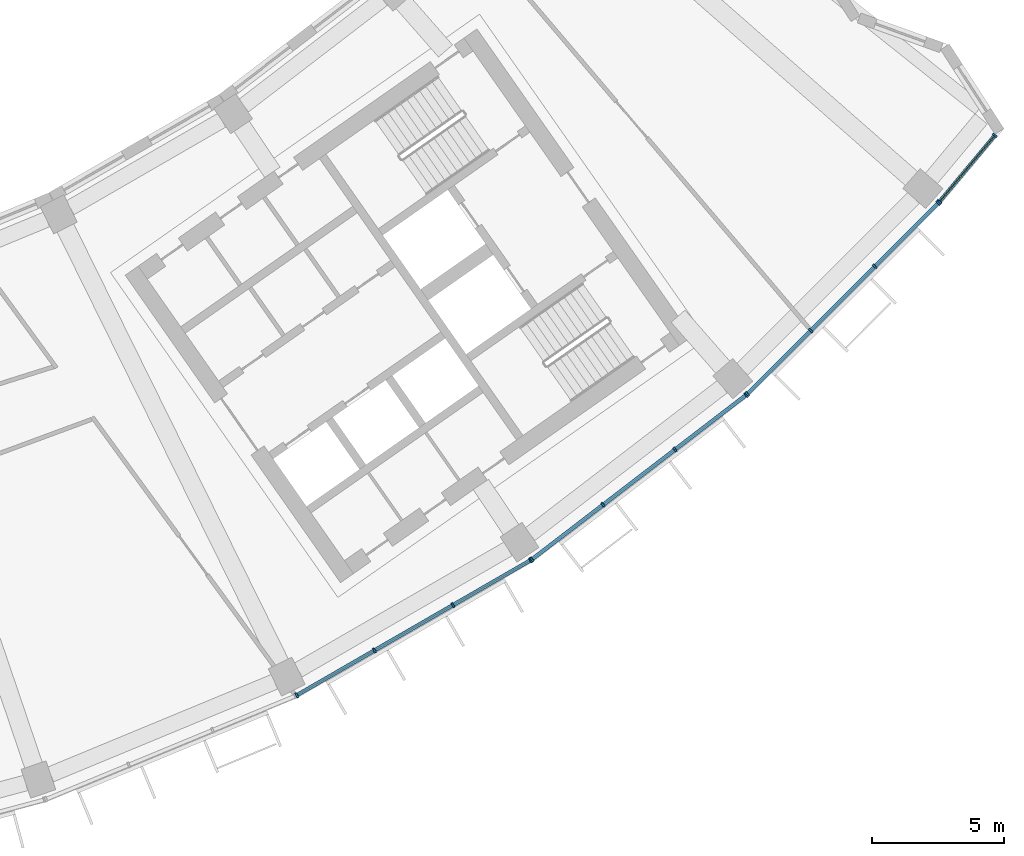
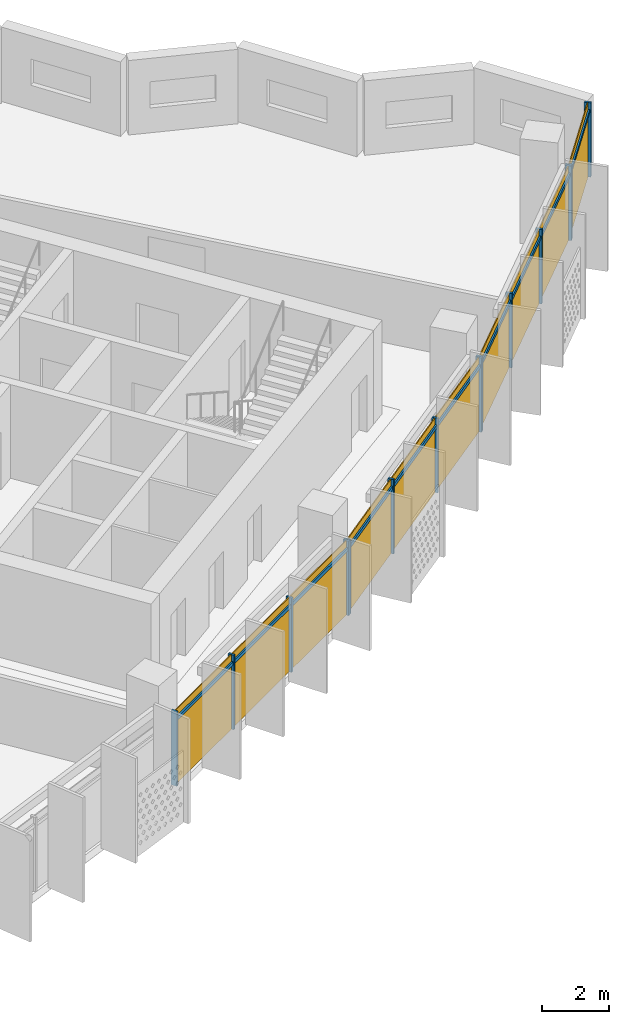
# One storey, part 21 of 28: 24 members, 4 curtain walls.
"""IFC4 building model written with IfcOpenShell, lengths in metres."""

from ifc_helpers import new_model, si_unit, direction, frame, origin, origin_2d, place, context, subcontext, project, spatial, rectangle, extrude, material, material_profile, profile_set, type_object, element, aggregate, save


model = new_model("IFC4")

# Units and contexts
model_context = context("Model", 3, precision=1e-05, world=origin(), true_north=direction((0.0, 1.0)))
body_context = subcontext(model_context, "Body", "Model", "MODEL_VIEW")
ifc_project = project(units=[si_unit("LENGTHUNIT", "METRE"), si_unit("AREAUNIT", "SQUARE_METRE"), si_unit("VOLUMEUNIT", "CUBIC_METRE"), si_unit("PLANEANGLEUNIT", "RADIAN"), si_unit("MASSUNIT", "GRAM", prefix="KILO")], contexts=[model_context])

# Member
ifc_material = material(Name="Aluminium 6063-T6 anodised", Category="aluminium")
ifc_material_profile_1 = material_profile(ifc_material, rectangle(XDim=0.199951171875, YDim=0.070068359375, at=origin_2d()))
ifc_profile_set_1 = profile_set([ifc_material_profile_1], Name="Aluminium 6063-T6 anodised")
member_type_1 = type_object("IfcMemberType", Name="Mullion 70 x 200 aluminium", PredefinedType="MULLION", material=ifc_profile_set_1)
site_placement = place(None, origin())
building_placement = place(site_placement, origin())
storey_placement = place(building_placement, frame((0.0, 0.0, 249.300048828125)))
member_1_placement = place(storey_placement, frame((34.766357421875, -70.43505859375, 0.0), z_axis=(0.0, 0.0, 1.0), x_axis=(-0.5, 0.866025403784, 0.0)))
member_1 = element("IfcMember", 1, at=member_1_placement, type_object=member_type_1, Name="e-cw1-L60-out12/M00", PredefinedType="MULLION", context=body_context, shape_type="SweptSolid", body=[
    extrude(rectangle(XDim=0.199951171875, YDim=0.070068359375, at=origin_2d()), origin(), (0.0, 0.0, 1.0), 2.699951171875),
])

member_2_placement = place(storey_placement, frame((37.705810546875, -68.73779296875, 0.0), z_axis=(0.0, 0.0, 1.0), x_axis=(-0.5, 0.866025403784, 0.0)))
member_2 = element("IfcMember", 2, at=member_2_placement, type_object=member_type_1, Name="e-cw1-L60-out12/M01", PredefinedType="MULLION", context=body_context, shape_type="SweptSolid", body=[
    extrude(rectangle(XDim=0.199951171875, YDim=0.070068359375, at=origin_2d()), origin(), (0.0, 0.0, 1.0), 2.699951171875),
])

member_3_placement = place(storey_placement, frame((40.67578125, -67.023193359375, 0.0), z_axis=(0.0, 0.0, 1.0), x_axis=(-0.5, 0.866025403784, 0.0)))
member_3 = element("IfcMember", 3, at=member_3_placement, type_object=member_type_1, Name="e-cw1-L60-out12/M02", PredefinedType="MULLION", context=body_context, shape_type="SweptSolid", body=[
    extrude(rectangle(XDim=0.199951171875, YDim=0.070068359375, at=origin_2d()), origin(), (0.0, 0.0, 1.0), 2.699951171875),
])

member_4_placement = place(storey_placement, frame((43.615234375, -65.325927734375, 0.0), z_axis=(0.0, 0.0, 1.0), x_axis=(-0.5, 0.866025403784, 0.0)))
member_4 = element("IfcMember", 4, at=member_4_placement, type_object=member_type_1, Name="e-cw1-L60-out12/M03", PredefinedType="MULLION", context=body_context, shape_type="SweptSolid", body=[
    extrude(rectangle(XDim=0.199951171875, YDim=0.070068359375, at=origin_2d()), origin(), (0.0, 0.0, 1.0), 2.699951171875),
])

member_5_placement = place(storey_placement, frame((43.66259765625, -65.29443359375, 0.0), z_axis=(0.0, 0.0, 1.0), x_axis=(-0.608761429009, 0.793353340291, 0.0)))
member_5 = element("IfcMember", 5, at=member_5_placement, type_object=member_type_1, Name="e-cw1-L60-out13/M00", PredefinedType="MULLION", context=body_context, shape_type="SweptSolid", body=[
    extrude(rectangle(XDim=0.199951171875, YDim=0.070068359375, at=origin_2d()), origin(), (0.0, 0.0, 1.0), 2.699951171875),
])

member_6_placement = place(storey_placement, frame((46.35546875, -63.22802734375, 0.0), z_axis=(0.0, 0.0, 1.0), x_axis=(-0.608761429009, 0.793353340291, 0.0)))
member_6 = element("IfcMember", 6, at=member_6_placement, type_object=member_type_1, Name="e-cw1-L60-out13/M01", PredefinedType="MULLION", context=body_context, shape_type="SweptSolid", body=[
    extrude(rectangle(XDim=0.199951171875, YDim=0.070068359375, at=origin_2d()), origin(), (0.0, 0.0, 1.0), 2.699951171875),
])

member_7_placement = place(storey_placement, frame((49.075927734375, -61.140380859375, 0.0), z_axis=(0.0, 0.0, 1.0), x_axis=(-0.608761429009, 0.793353340291, 0.0)))
member_7 = element("IfcMember", 7, at=member_7_placement, type_object=member_type_1, Name="e-cw1-L60-out13/M02", PredefinedType="MULLION", context=body_context, shape_type="SweptSolid", body=[
    extrude(rectangle(XDim=0.199951171875, YDim=0.070068359375, at=origin_2d()), origin(), (0.0, 0.0, 1.0), 2.699951171875),
])

member_8_placement = place(storey_placement, frame((51.768798828125, -59.07421875, 0.0), z_axis=(0.0, 0.0, 1.0), x_axis=(-0.608761429009, 0.793353340291, 0.0)))
member_8 = element("IfcMember", 8, at=member_8_placement, type_object=member_type_1, Name="e-cw1-L60-out13/M03", PredefinedType="MULLION", context=body_context, shape_type="SweptSolid", body=[
    extrude(rectangle(XDim=0.199951171875, YDim=0.070068359375, at=origin_2d()), origin(), (0.0, 0.0, 1.0), 2.699951171875),
])

member_9_placement = place(storey_placement, frame((51.8115234375, -59.03662109375, 0.0), z_axis=(0.0, 0.0, 1.0), x_axis=(-0.707106781187, 0.707106781187, 0.0)))
member_9 = element("IfcMember", 9, at=member_9_placement, type_object=member_type_1, Name="e-cw1-L60-out14/M00", PredefinedType="MULLION", context=body_context, shape_type="SweptSolid", body=[
    extrude(rectangle(XDim=0.199951171875, YDim=0.070068359375, at=origin_2d()), origin(), (0.0, 0.0, 1.0), 2.699951171875),
])

member_10_placement = place(storey_placement, frame((54.211669921875, -56.63671875, 0.0), z_axis=(0.0, 0.0, 1.0), x_axis=(-0.707106781187, 0.707106781187, 0.0)))
member_10 = element("IfcMember", 10, at=member_10_placement, type_object=member_type_1, Name="e-cw1-L60-out14/M01", PredefinedType="MULLION", context=body_context, shape_type="SweptSolid", body=[
    extrude(rectangle(XDim=0.199951171875, YDim=0.070068359375, at=origin_2d()), origin(), (0.0, 0.0, 1.0), 2.699951171875),
])

member_11_placement = place(storey_placement, frame((56.63671875, -54.211669921875, 0.0), z_axis=(0.0, 0.0, 1.0), x_axis=(-0.707106781187, 0.707106781187, 0.0)))
member_11 = element("IfcMember", 11, at=member_11_placement, type_object=member_type_1, Name="e-cw1-L60-out14/M02", PredefinedType="MULLION", context=body_context, shape_type="SweptSolid", body=[
    extrude(rectangle(XDim=0.199951171875, YDim=0.070068359375, at=origin_2d()), origin(), (0.0, 0.0, 1.0), 2.699951171875),
])

member_12_placement = place(storey_placement, frame((59.03662109375, -51.8115234375, 0.0), z_axis=(0.0, 0.0, 1.0), x_axis=(-0.707106781187, 0.707106781187, 0.0)))
member_12 = element("IfcMember", 12, at=member_12_placement, type_object=member_type_1, Name="e-cw1-L60-out14/M03", PredefinedType="MULLION", context=body_context, shape_type="SweptSolid", body=[
    extrude(rectangle(XDim=0.199951171875, YDim=0.070068359375, at=origin_2d()), origin(), (0.0, 0.0, 1.0), 2.699951171875),
])

member_13_placement = place(storey_placement, frame((59.077880859375, -51.7666015625, 0.0), z_axis=(0.0, 0.0, 1.0), x_axis=(-0.767258362212, 0.641338136723, 0.0)))
member_13 = element("IfcMember", 13, at=member_13_placement, type_object=member_type_1, Name="e-cw1-L60-out15/M00", PredefinedType="MULLION", context=body_context, shape_type="SweptSolid", body=[
    extrude(rectangle(XDim=0.199951171875, YDim=0.070068359375, at=origin_2d()), origin(), (0.0, 0.0, 1.0), 2.699951171875),
])

member_14_placement = place(storey_placement, frame((61.177490234375, -49.254638671875, 0.0), z_axis=(0.0, 0.0, 1.0), x_axis=(-0.767258362212, 0.641338136723, 0.0)))
member_14 = element("IfcMember", 14, at=member_14_placement, type_object=member_type_1, Name="e-cw1-L60-out15/M01", PredefinedType="MULLION", context=body_context, shape_type="SweptSolid", body=[
    extrude(rectangle(XDim=0.199951171875, YDim=0.070068359375, at=origin_2d()), origin(), (0.0, 0.0, 1.0), 2.699951171875),
])

ifc_material_profile_2 = material_profile(ifc_material, rectangle(XDim=0.139892578125, YDim=0.1201171875, at=origin_2d()))
ifc_profile_set_2 = profile_set([ifc_material_profile_2], Name="Aluminium 6063-T6 anodised")
member_type_2 = type_object("IfcMemberType", Name="Transom 120 x 140 aluminium", PredefinedType="USERDEFINED", material=ifc_profile_set_2)
member_15_placement = place(storey_placement, frame((34.796630859375, -70.41748046875, 2.39990234375), z_axis=(0.866029041019, 0.499993700073, 0.0), x_axis=(-0.499993700073, 0.866029041019, 0.0)))
member_15 = element("IfcMember", 15, at=member_15_placement, type_object=member_type_2, Name="e-cw1-L60-out12/T00", ObjectType="TRANSOM", PredefinedType="USERDEFINED", context=body_context, shape_type="SweptSolid", body=[
    extrude(rectangle(XDim=0.139892578125, YDim=0.1201171875, at=origin_2d()), origin(), (0.0, 0.0, 1.0), 3.32421875),
])

member_16_placement = place(storey_placement, frame((37.736083984375, -68.72021484375, 2.39990234375), z_axis=(0.866034314054, 0.499984566643, 0.0), x_axis=(-0.499984566643, 0.866034314054, 0.0)))
member_16 = element("IfcMember", 16, at=member_16_placement, type_object=member_type_2, Name="e-cw1-L60-out12/T01", ObjectType="TRANSOM", PredefinedType="USERDEFINED", context=body_context, shape_type="SweptSolid", body=[
    extrude(rectangle(XDim=0.139892578125, YDim=0.1201171875, at=origin_2d()), origin(), (0.0, 0.0, 1.0), 3.359375),
])

member_17_placement = place(storey_placement, frame((40.7060546875, -67.005615234375, 2.39990234375), z_axis=(0.866029041019, 0.499993700073, 0.0), x_axis=(-0.499993700073, 0.866029041019, 0.0)))
member_17 = element("IfcMember", 17, at=member_17_placement, type_object=member_type_2, Name="e-cw1-L60-out12/T02", ObjectType="TRANSOM", PredefinedType="USERDEFINED", context=body_context, shape_type="SweptSolid", body=[
    extrude(rectangle(XDim=0.139892578125, YDim=0.1201171875, at=origin_2d()), origin(), (0.0, 0.0, 1.0), 3.32421875),
])

member_18_placement = place(storey_placement, frame((43.690185546875, -65.273193359375, 2.39990234375), z_axis=(0.793368713958, 0.608741393132, 0.0), x_axis=(-0.608741393132, 0.793368713958, 0.0)))
member_18 = element("IfcMember", 18, at=member_18_placement, type_object=member_type_2, Name="e-cw1-L60-out13/T00", ObjectType="TRANSOM", PredefinedType="USERDEFINED", context=body_context, shape_type="SweptSolid", body=[
    extrude(rectangle(XDim=0.139892578125, YDim=0.1201171875, at=origin_2d()), origin(), (0.0, 0.0, 1.0), 3.324462890625),
])

member_19_placement = place(storey_placement, frame((46.383056640625, -63.206787109375, 2.39990234375), z_axis=(0.793385234627, 0.608719861247, 0.0), x_axis=(-0.608719861247, 0.793385234627, 0.0)))
member_19 = element("IfcMember", 19, at=member_19_placement, type_object=member_type_2, Name="e-cw1-L60-out13/T01", ObjectType="TRANSOM", PredefinedType="USERDEFINED", context=body_context, shape_type="SweptSolid", body=[
    extrude(rectangle(XDim=0.139892578125, YDim=0.1201171875, at=origin_2d()), origin(), (0.0, 0.0, 1.0), 3.359375),
])

member_20_placement = place(storey_placement, frame((49.103759765625, -61.119140625, 2.39990234375), z_axis=(0.793368713958, 0.608741393132, 0.0), x_axis=(-0.608741393132, 0.793368713958, 0.0)))
member_20 = element("IfcMember", 20, at=member_20_placement, type_object=member_type_2, Name="e-cw1-L60-out13/T02", ObjectType="TRANSOM", PredefinedType="USERDEFINED", context=body_context, shape_type="SweptSolid", body=[
    extrude(rectangle(XDim=0.139892578125, YDim=0.1201171875, at=origin_2d()), origin(), (0.0, 0.0, 1.0), 3.324462890625),
])

member_21_placement = place(storey_placement, frame((51.83642578125, -59.011962890625, 2.39990234375), z_axis=(0.707106781187, 0.707106781187, 0.0), x_axis=(-0.707106781187, 0.707106781187, 0.0)))
member_21 = element("IfcMember", 21, at=member_21_placement, type_object=member_type_2, Name="e-cw1-L60-out14/T00", ObjectType="TRANSOM", PredefinedType="USERDEFINED", context=body_context, shape_type="SweptSolid", body=[
    extrude(rectangle(XDim=0.139892578125, YDim=0.1201171875, at=origin_2d()), origin(), (0.0, 0.0, 1.0), 3.32421875),
])

member_22_placement = place(storey_placement, frame((54.236572265625, -56.61181640625, 2.39990234375), z_axis=(0.707106781187, 0.707106781187, 0.0), x_axis=(-0.707106781187, 0.707106781187, 0.0)))
member_22 = element("IfcMember", 22, at=member_22_placement, type_object=member_type_2, Name="e-cw1-L60-out14/T01", ObjectType="TRANSOM", PredefinedType="USERDEFINED", context=body_context, shape_type="SweptSolid", body=[
    extrude(rectangle(XDim=0.139892578125, YDim=0.1201171875, at=origin_2d()), origin(), (0.0, 0.0, 1.0), 3.359130859375),
])

member_23_placement = place(storey_placement, frame((56.661376953125, -54.18701171875, 2.39990234375), z_axis=(0.707106781187, 0.707106781187, 0.0), x_axis=(-0.707106781187, 0.707106781187, 0.0)))
member_23 = element("IfcMember", 23, at=member_23_placement, type_object=member_type_2, Name="e-cw1-L60-out14/T02", ObjectType="TRANSOM", PredefinedType="USERDEFINED", context=body_context, shape_type="SweptSolid", body=[
    extrude(rectangle(XDim=0.139892578125, YDim=0.1201171875, at=origin_2d()), origin(), (0.0, 0.0, 1.0), 3.32421875),
])

member_24_placement = place(storey_placement, frame((59.100341796875, -51.73974609375, 2.39990234375), z_axis=(0.641315491037, 0.767277290786, 0.0), x_axis=(-0.767277290786, 0.641315491037, 0.0)))
member_24 = element("IfcMember", 24, at=member_24_placement, type_object=member_type_2, Name="e-cw1-L60-out15/T00", ObjectType="TRANSOM", PredefinedType="USERDEFINED", context=body_context, shape_type="SweptSolid", body=[
    extrude(rectangle(XDim=0.139892578125, YDim=0.1201171875, at=origin_2d()), origin(), (0.0, 0.0, 1.0), 3.203857421875),
])

# Site, building, storey
site = spatial("IfcSite", under=ifc_project, at=site_placement, CompositionType="ELEMENT")
building = spatial("IfcBuilding", under=site, at=building_placement, Name="Qamariyya Broadcast Tower", CompositionType="ELEMENT")
storey = spatial("IfcBuildingStorey", under=building, at=storey_placement, Name="L60", CompositionType="ELEMENT", Elevation=249.300048828125)

# Curtain wall
curtain_wall_type = type_object("IfcCurtainWallType", Name="Unitised curtain wall, anodised aluminium", PredefinedType="NOTDEFINED", material=ifc_material)
curtain_wall_1_placement = place(storey_placement, origin())
curtain_wall_1 = element("IfcCurtainWall", 25, at=curtain_wall_1_placement, inside=storey, type_object=curtain_wall_type, Name="e-cw1-L60-out12", PredefinedType="NOTDEFINED", context=body_context, shape_type="SweptSolid", body=[
    extrude(rectangle(XDim=3.32421875, YDim=0.031982421875, at=origin_2d()), frame((36.236083984375, -69.58642578125, 0.0), x_axis=(0.866027904674, 0.499995668308, 0.0)), (0.0, 0.0, 1.0), 2.340087890625),
    extrude(rectangle(XDim=3.32421875, YDim=0.031982421875, at=origin_2d()), frame((36.236083984375, -69.58642578125, 2.4599609375), x_axis=(0.866027904674, 0.499995668308, 0.0)), (0.0, 0.0, 1.0), 0.239990234375),
    extrude(rectangle(XDim=3.359130859375, YDim=0.031982421875, at=origin_2d()), frame((39.19091796875, -67.88037109375, 0.0), x_axis=(0.866027904674, 0.499995668308, 0.0)), (0.0, 0.0, 1.0), 2.340087890625),
    extrude(rectangle(XDim=3.359130859375, YDim=0.031982421875, at=origin_2d()), frame((39.19091796875, -67.88037109375, 2.4599609375), x_axis=(0.866027904674, 0.499995668308, 0.0)), (0.0, 0.0, 1.0), 0.239990234375),
    extrude(rectangle(XDim=3.32421875, YDim=0.031982421875, at=origin_2d()), frame((42.1455078125, -66.174560546875, 0.0), x_axis=(0.866027904674, 0.499995668308, 0.0)), (0.0, 0.0, 1.0), 2.340087890625),
    extrude(rectangle(XDim=3.32421875, YDim=0.031982421875, at=origin_2d()), frame((42.1455078125, -66.174560546875, 2.4599609375), x_axis=(0.866027904674, 0.499995668308, 0.0)), (0.0, 0.0, 1.0), 0.239990234375),
])

aggregate(curtain_wall_1, [member_1, member_2, member_3, member_4, member_15, member_16, member_17])

curtain_wall_2_placement = place(storey_placement, origin())
curtain_wall_2 = element("IfcCurtainWall", 26, at=curtain_wall_2_placement, inside=storey, type_object=curtain_wall_type, Name="e-cw1-L60-out13", PredefinedType="NOTDEFINED", context=body_context, shape_type="SweptSolid", body=[
    extrude(rectangle(XDim=3.32421875, YDim=0.031982421875, at=origin_2d()), frame((45.009033203125, -64.26123046875, 0.0), x_axis=(0.793359168734, 0.608753833159, 0.0)), (0.0, 0.0, 1.0), 2.340087890625),
    extrude(rectangle(XDim=3.32421875, YDim=0.031982421875, at=origin_2d()), frame((45.009033203125, -64.26123046875, 2.4599609375), x_axis=(0.793359168734, 0.608753833159, 0.0)), (0.0, 0.0, 1.0), 0.239990234375),
    extrude(rectangle(XDim=3.359130859375, YDim=0.031982421875, at=origin_2d()), frame((47.7158203125, -62.184326171875, 0.0), x_axis=(0.793359168734, 0.608753833159, 0.0)), (0.0, 0.0, 1.0), 2.340087890625),
    extrude(rectangle(XDim=3.359130859375, YDim=0.031982421875, at=origin_2d()), frame((47.7158203125, -62.184326171875, 2.4599609375), x_axis=(0.793359168734, 0.608753833159, 0.0)), (0.0, 0.0, 1.0), 0.239990234375),
    extrude(rectangle(XDim=3.32421875, YDim=0.031982421875, at=origin_2d()), frame((50.42236328125, -60.107421875, 0.0), x_axis=(0.793359168734, 0.608753833159, 0.0)), (0.0, 0.0, 1.0), 2.340087890625),
    extrude(rectangle(XDim=3.32421875, YDim=0.031982421875, at=origin_2d()), frame((50.42236328125, -60.107421875, 2.4599609375), x_axis=(0.793359168734, 0.608753833159, 0.0)), (0.0, 0.0, 1.0), 0.239990234375),
])

aggregate(curtain_wall_2, [member_5, member_6, member_7, member_8, member_18, member_19, member_20])

curtain_wall_3_placement = place(storey_placement, origin())
curtain_wall_3 = element("IfcCurtainWall", 27, at=curtain_wall_3_placement, inside=storey, type_object=curtain_wall_type, Name="e-cw1-L60-out14", PredefinedType="NOTDEFINED", context=body_context, shape_type="SweptSolid", body=[
    extrude(rectangle(XDim=3.32421875, YDim=0.031982421875, at=origin_2d()), frame((53.01171875, -57.836669921875, 0.0), x_axis=(0.707106781187, 0.707106781187, 0.0)), (0.0, 0.0, 1.0), 2.340087890625),
    extrude(rectangle(XDim=3.32421875, YDim=0.031982421875, at=origin_2d()), frame((53.01171875, -57.836669921875, 2.4599609375), x_axis=(0.707106781187, 0.707106781187, 0.0)), (0.0, 0.0, 1.0), 0.239990234375),
    extrude(rectangle(XDim=3.359375, YDim=0.031982421875, at=origin_2d()), frame((55.42431640625, -55.42431640625, 0.0), x_axis=(0.707106781187, 0.707106781187, 0.0)), (0.0, 0.0, 1.0), 2.340087890625),
    extrude(rectangle(XDim=3.359375, YDim=0.031982421875, at=origin_2d()), frame((55.42431640625, -55.42431640625, 2.4599609375), x_axis=(0.707106781187, 0.707106781187, 0.0)), (0.0, 0.0, 1.0), 0.239990234375),
    extrude(rectangle(XDim=3.32421875, YDim=0.031982421875, at=origin_2d()), frame((57.836669921875, -53.01171875, 0.0), x_axis=(0.707106781187, 0.707106781187, 0.0)), (0.0, 0.0, 1.0), 2.340087890625),
    extrude(rectangle(XDim=3.32421875, YDim=0.031982421875, at=origin_2d()), frame((57.836669921875, -53.01171875, 2.4599609375), x_axis=(0.707106781187, 0.707106781187, 0.0)), (0.0, 0.0, 1.0), 0.239990234375),
])

aggregate(curtain_wall_3, [member_9, member_10, member_11, member_12, member_21, member_22, member_23])

curtain_wall_4_placement = place(storey_placement, origin())
curtain_wall_4 = element("IfcCurtainWall", 28, at=curtain_wall_4_placement, inside=storey, type_object=curtain_wall_type, Name="e-cw1-L60-out15", PredefinedType="NOTDEFINED", context=body_context, shape_type="SweptSolid", body=[
    extrude(rectangle(XDim=3.203857421875, YDim=0.031982421875, at=origin_2d()), frame((60.127685546875, -50.5107421875, 0.0), x_axis=(0.641325531171, 0.767268898802, 0.0)), (0.0, 0.0, 1.0), 2.340087890625),
    extrude(rectangle(XDim=3.203857421875, YDim=0.031982421875, at=origin_2d()), frame((60.127685546875, -50.5107421875, 2.4599609375), x_axis=(0.641325531171, 0.767268898802, 0.0)), (0.0, 0.0, 1.0), 0.239990234375),
])

aggregate(curtain_wall_4, [member_13, member_14, member_24])

save(model, "model.ifc")
